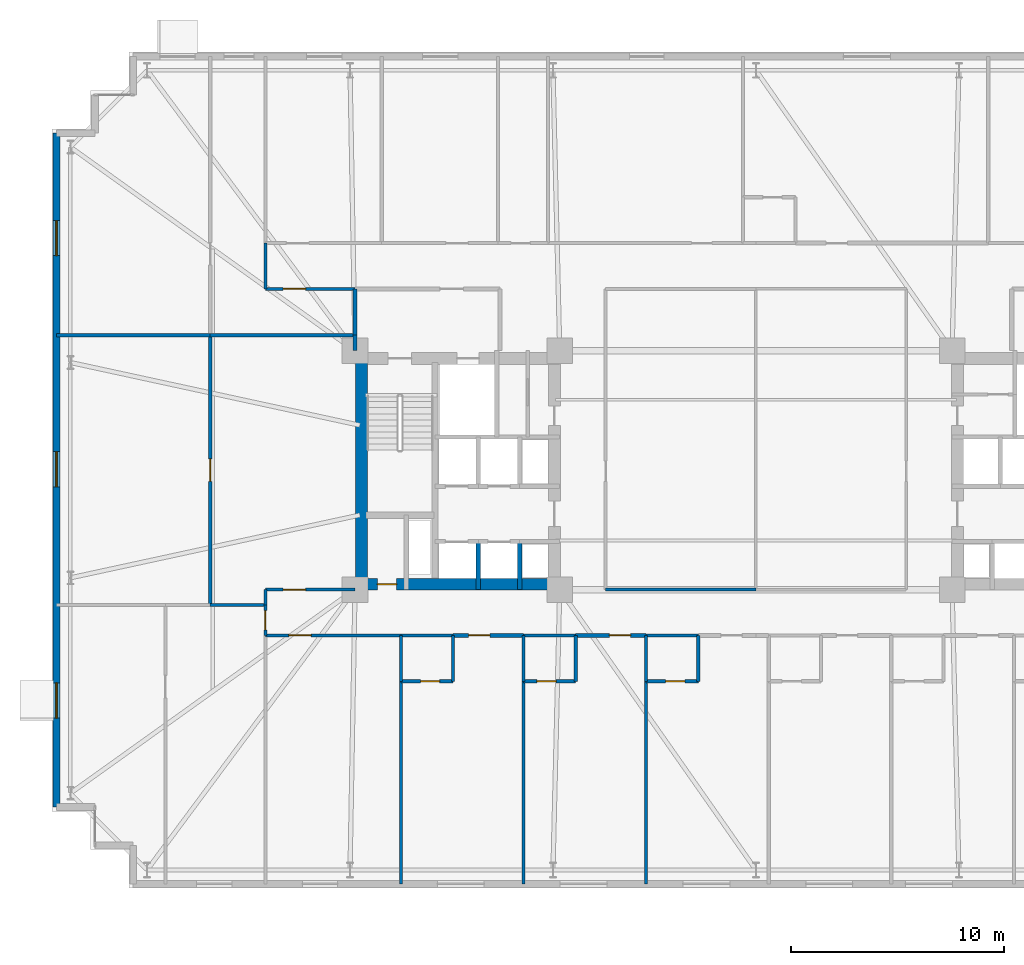
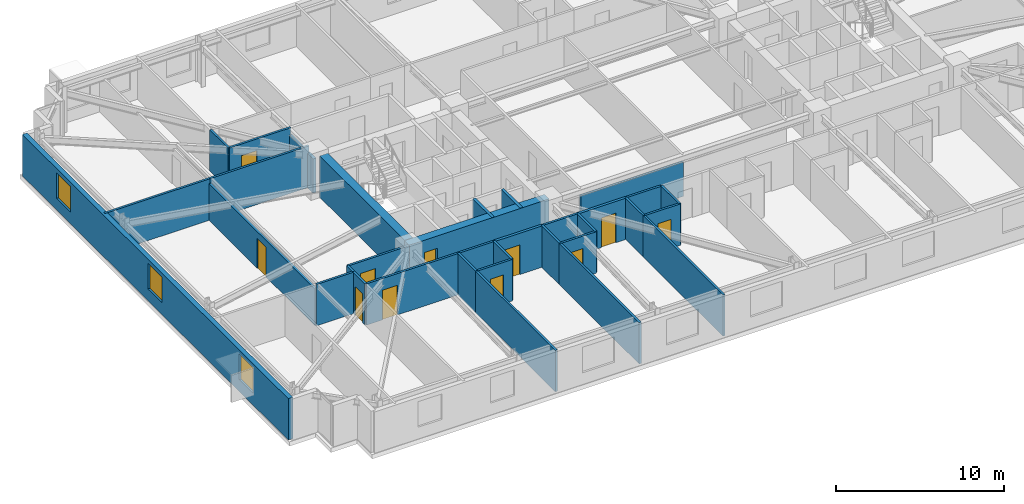
# One storey, part 14 of 20: 35 walls, 11 doors, 3 windows, 14 openings.
"""IFC4 building model written with IfcOpenShell, lengths in metres."""

from ifc_helpers import new_model, si_unit, direction, frame, frame_2d, origin, place, context, subcontext, project, spatial, rectangle, extrude, material, layer, layer_set, type_object, element, fill, save


model = new_model("IFC4")

# Units and contexts
model_context = context("Model", 3, precision=1e-05, world=origin(), true_north=direction((0.0, 1.0)))
body_context = subcontext(model_context, "Body", "Model", "MODEL_VIEW")
ifc_project = project(units=[si_unit("LENGTHUNIT", "METRE"), si_unit("AREAUNIT", "SQUARE_METRE"), si_unit("VOLUMEUNIT", "CUBIC_METRE"), si_unit("PLANEANGLEUNIT", "RADIAN"), si_unit("MASSUNIT", "GRAM", prefix="KILO")], contexts=[model_context])

# Site, building, storey
site_placement = place(None, origin())
site = spatial("IfcSite", under=ifc_project, at=site_placement, CompositionType="ELEMENT")
building_placement = place(site_placement, origin())
building = spatial("IfcBuilding", under=site, at=building_placement, Name="Qobustan Lattice House", CompositionType="ELEMENT")
storey_placement = place(building_placement, frame((0.0, 0.0, 70.550048828125)))
storey = spatial("IfcBuildingStorey", under=building, at=storey_placement, Name="L19", CompositionType="ELEMENT", Elevation=70.550048828125)

# Wall, opening, door
ifc_material_1 = material(Name="Concrete C60/75", Category="concrete")
ifc_layer_1 = layer(ifc_material_1, 0.56005859375)
ifc_layer_set_1 = layer_set([ifc_layer_1], Name="Concrete C60/75")
wall_type_1 = type_object("IfcWallType", Name="WAL-CORE-600", PredefinedType="SHEAR", material=ifc_layer_set_1)
wall_1_placement = place(storey_placement, frame((-18.800048828125, -5.35009765625, 0.0), z_axis=(0.0, 0.0, 1.0), x_axis=(1.0, 0.0, 0.0)))
wall_1 = element("IfcWall", 1, at=wall_1_placement, inside=storey, type_object=wall_type_1, Name="L19 split-core shear wall CW-S", PredefinedType="SHEAR", context=body_context, shape_type="SweptSolid", body=[
    extrude(rectangle(XDim=9.60009765625, YDim=0.56005859375, at=frame_2d((4.800048828125, 0.0))), origin(), (0.0, 0.0, 1.0), 3.0),
])
opening_1_placement = place(wall_1_placement, frame((1.050048828125, 0.0, 0.0)))
opening_1 = element("IfcOpeningElement", 2, at=opening_1_placement, cuts=wall_1, Name="Opening RD-01", PredefinedType="OPENING", context=body_context, shape_type="SweptSolid", body=[
    extrude(rectangle(XDim=0.89990234375, YDim=2.10009765625, at=frame_2d((0.449951171875, 1.050048828125))), frame((0.0, 0.2900390625, 0.0), z_axis=(0.0, -1.0, 0.0), x_axis=(1.0, 0.0, 0.0)), (0.0, 0.0, 1.0), 0.580078125),
])
ifc_material_2 = material(Name="Persian walnut timber and steel frame door", Category="steel")
door_type_1 = type_object("IfcDoorType", Name="DOR-RISER-FD-900x2100", OperationType="NOTDEFINED", PredefinedType="DOOR", material=ifc_material_2)
door_1_placement = place(opening_1_placement, origin())
door_1 = element("IfcDoor", 3, at=door_1_placement, inside=storey, type_object=door_type_1, Name="L19 core service riser access door W", OperationType="SINGLE_SWING_LEFT", OverallHeight=2.10009765625, OverallWidth=0.89990234375, PredefinedType="DOOR", context=body_context, shape_type="SweptSolid", body=[
    extrude(rectangle(XDim=0.89990234375, YDim=2.10009765625, at=frame_2d((0.449951171875, 1.050048828125))), frame((0.0, 0.02490234375, 0.0), z_axis=(0.0, -1.0, 0.0), x_axis=(1.0, 0.0, 0.0)), (0.0, 0.0, 1.0), 0.050048828125),
])
fill(opening_1, door_1)

# Wall
wall_2_placement = place(storey_placement, frame((-18.489990234375, -5.050048828125, 0.0), z_axis=(0.0, 0.0, 1.0), x_axis=(0.0, 1.0, 0.0)))
element("IfcWall", 4, at=wall_2_placement, inside=storey, type_object=wall_type_1, Name="L19 split-core shear wall CW-W", PredefinedType="SHEAR", context=body_context, shape_type="SweptSolid", body=[
    extrude(rectangle(XDim=10.10009765625, YDim=0.56005859375, at=frame_2d((5.050048828125, 0.0))), origin(), (0.0, 0.0, 1.0), 3.0),
])

# Wall, openings, windows
ifc_material_3 = material(Name="Precast concrete C40/50", Category="concrete")
ifc_layer_2 = layer(ifc_material_3, 0.320068359375)
ifc_layer_set_2 = layer_set([ifc_layer_2], Name="Precast concrete C40/50")
wall_type_2 = type_object("IfcWallType", Name="WAL-EXT-STONE-320", PredefinedType="SOLIDWALL", material=ifc_layer_set_2)
wall_3_placement = place(storey_placement, frame((-32.800048828125, -15.800048828125, 0.0), z_axis=(0.0, 0.0, 1.0), x_axis=(0.0, 1.0, 0.0)))
wall_3 = element("IfcWall", 5, at=wall_3_placement, inside=storey, type_object=wall_type_2, Name="L19 exterior limestone-clad wall 5", PredefinedType="SOLIDWALL", context=body_context, shape_type="SweptSolid", body=[
    extrude(rectangle(XDim=31.60009765625, YDim=0.320068359375, at=frame_2d((15.800048828125, 0.0))), origin(), (0.0, 0.0, 1.0), 3.0),
])
opening_2_placement = place(wall_3_placement, frame((4.175048828125, 0.0, 0.85009765625)))
opening_2 = element("IfcOpeningElement", 6, at=opening_2_placement, cuts=wall_3, Name="Opening WN-09", PredefinedType="OPENING", context=body_context, shape_type="SweptSolid", body=[
    extrude(rectangle(XDim=1.64990234375, YDim=1.85009765625, at=frame_2d((0.824951171875, 0.925048828125))), frame((0.0, 0.169921875, 0.0), z_axis=(0.0, -1.0, 0.0), x_axis=(1.0, 0.0, 0.0)), (0.0, 0.0, 1.0), 0.340087890625),
])
opening_3_placement = place(wall_3_placement, frame((15.014892578125, 0.0, 0.85009765625)))
opening_3 = element("IfcOpeningElement", 7, at=opening_3_placement, cuts=wall_3, Name="Opening WN-09", PredefinedType="OPENING", context=body_context, shape_type="SweptSolid", body=[
    extrude(rectangle(XDim=1.64990234375, YDim=1.85009765625, at=frame_2d((0.824951171875, 0.925048828125))), frame((0.0, 0.169921875, 0.0), z_axis=(0.0, -1.0, 0.0), x_axis=(1.0, 0.0, 0.0)), (0.0, 0.0, 1.0), 0.340087890625),
])
opening_4_placement = place(wall_3_placement, frame((25.85498046875, 0.0, 0.85009765625)))
opening_4 = element("IfcOpeningElement", 8, at=opening_4_placement, cuts=wall_3, Name="Opening WN-09", PredefinedType="OPENING", context=body_context, shape_type="SweptSolid", body=[
    extrude(rectangle(XDim=1.64990234375, YDim=1.85009765625, at=frame_2d((0.824951171875, 0.925048828125))), frame((0.0, 0.169921875, 0.0), z_axis=(0.0, -1.0, 0.0), x_axis=(1.0, 0.0, 0.0)), (0.0, 0.0, 1.0), 0.340087890625),
])
ifc_material_4 = material(Name="Double-glazed low-E aluminium window", Category="aluminium")
window_type = type_object("IfcWindowType", Name="WIN-STU-1650x1850", PartitioningType="SINGLE_PANEL", PredefinedType="WINDOW", material=ifc_material_4)
window_1_placement = place(opening_2_placement, origin())
window_1 = element("IfcWindow", 9, at=window_1_placement, inside=storey, type_object=window_type, Name="L19 Focus study room W1A window", OverallHeight=1.85009765625, OverallWidth=1.64990234375, PartitioningType="SINGLE_PANEL", PredefinedType="WINDOW", context=body_context, shape_type="SweptSolid", body=[
    extrude(rectangle(XDim=1.64990234375, YDim=1.85009765625, at=frame_2d((0.824951171875, 0.925048828125))), frame((0.0, 0.030029296875, 0.0), z_axis=(0.0, -1.0, 0.0), x_axis=(1.0, 0.0, 0.0)), (0.0, 0.0, 1.0), 0.06005859375),
])
fill(opening_2, window_1)
window_2_placement = place(opening_3_placement, origin())
window_2 = element("IfcWindow", 10, at=window_2_placement, inside=storey, type_object=window_type, Name="L19 Focus study room W2A window", OverallHeight=1.85009765625, OverallWidth=1.64990234375, PartitioningType="SINGLE_PANEL", PredefinedType="WINDOW", context=body_context, shape_type="SweptSolid", body=[
    extrude(rectangle(XDim=1.64990234375, YDim=1.85009765625, at=frame_2d((0.824951171875, 0.925048828125))), frame((0.0, 0.030029296875, 0.0), z_axis=(0.0, -1.0, 0.0), x_axis=(1.0, 0.0, 0.0)), (0.0, 0.0, 1.0), 0.06005859375),
])
fill(opening_3, window_2)
window_3_placement = place(opening_4_placement, origin())
window_3 = element("IfcWindow", 11, at=window_3_placement, inside=storey, type_object=window_type, Name="L19 Focus study room W3A window", OverallHeight=1.85009765625, OverallWidth=1.64990234375, PartitioningType="SINGLE_PANEL", PredefinedType="WINDOW", context=body_context, shape_type="SweptSolid", body=[
    extrude(rectangle(XDim=1.64990234375, YDim=1.85009765625, at=frame_2d((0.824951171875, 0.925048828125))), frame((0.0, 0.030029296875, 0.0), z_axis=(0.0, -1.0, 0.0), x_axis=(1.0, 0.0, 0.0)), (0.0, 0.0, 1.0), 0.06005859375),
])
fill(opening_4, window_3)

# Wall, opening, door
ifc_material_5 = material(Name="Gypsum fireboard acoustic partition", Category="gypsum")
ifc_layer_3 = layer(ifc_material_5, 0.179931640625)
ifc_layer_set_3 = layer_set([ifc_layer_3], Name="Gypsum fireboard acoustic partition")
wall_type_3 = type_object("IfcWallType", Name="WAL-FIRE-180", PredefinedType="PARTITIONING", material=ifc_layer_set_3)
wall_4_placement = place(storey_placement, frame((-10.89990234375, -7.75, 0.0), z_axis=(0.0, 0.0, 1.0), x_axis=(-1.0, 0.0, 0.0)))
wall_4 = element("IfcWall", 12, at=wall_4_placement, inside=storey, type_object=wall_type_3, Name="L19 interior partition 58", PredefinedType="PARTITIONING", context=body_context, shape_type="SweptSolid", body=[
    extrude(rectangle(XDim=3.300048828125, YDim=0.179931640625, at=frame_2d((1.64990234375, 0.0))), origin(), (0.0, 0.0, 1.0), 3.0),
])
opening_5_placement = place(wall_4_placement, frame((1.577392578125, 0.0, 0.0)))
opening_5 = element("IfcOpeningElement", 13, at=opening_5_placement, cuts=wall_4, Name="Opening FD-02", PredefinedType="OPENING", context=body_context, shape_type="SweptSolid", body=[
    extrude(rectangle(XDim=1.0, YDim=2.14990234375, at=frame_2d((0.5, 1.074951171875))), frame((0.0, 0.099853515625, 0.0), z_axis=(0.0, -1.0, 0.0), x_axis=(1.0, 0.0, 0.0)), (0.0, 0.0, 1.0), 0.199951171875),
])
ifc_material_6 = material(Name="Persian walnut timber and steel frame door", Category="steel")
door_type_2 = type_object("IfcDoorType", Name="DOR-UNIT-FD-1000x2150", OperationType="NOTDEFINED", PredefinedType="DOOR", material=ifc_material_6)
door_2_placement = place(opening_5_placement, origin())
door_2 = element("IfcDoor", 14, at=door_2_placement, inside=storey, type_object=door_type_2, Name="L19 South-west floor corridor to Kitchenette and studio apartment L19-S2 door", OperationType="SINGLE_SWING_LEFT", OverallHeight=2.14990234375, OverallWidth=1.0, PredefinedType="DOOR", context=body_context, shape_type="SweptSolid", body=[
    extrude(rectangle(XDim=1.0, YDim=2.14990234375, at=frame_2d((0.5, 1.074951171875))), frame((0.0, 0.02490234375, 0.0), z_axis=(0.0, -1.0, 0.0), x_axis=(1.0, 0.0, 0.0)), (0.0, 0.0, 1.0), 0.050048828125),
])
fill(opening_5, door_2)

wall_5_placement = place(storey_placement, frame((-5.14990234375, -7.75, 0.0), z_axis=(0.0, 0.0, 1.0), x_axis=(-1.0, 0.0, 0.0)))
wall_5 = element("IfcWall", 15, at=wall_5_placement, inside=storey, type_object=wall_type_3, Name="L19 interior partition 60", PredefinedType="PARTITIONING", context=body_context, shape_type="SweptSolid", body=[
    extrude(rectangle(XDim=3.300048828125, YDim=0.179931640625, at=frame_2d((1.64990234375, 0.0))), origin(), (0.0, 0.0, 1.0), 3.0),
])
opening_6_placement = place(wall_5_placement, frame((0.722412109375, 0.0, 0.0)))
opening_6 = element("IfcOpeningElement", 16, at=opening_6_placement, cuts=wall_5, Name="Opening FD-02", PredefinedType="OPENING", context=body_context, shape_type="SweptSolid", body=[
    extrude(rectangle(XDim=1.0, YDim=2.14990234375, at=frame_2d((0.5, 1.074951171875))), frame((0.0, 0.099853515625, 0.0), z_axis=(0.0, -1.0, 0.0), x_axis=(1.0, 0.0, 0.0)), (0.0, 0.0, 1.0), 0.199951171875),
])
door_3_placement = place(opening_6_placement, origin())
door_3 = element("IfcDoor", 17, at=door_3_placement, inside=storey, type_object=door_type_2, Name="L19 South-west floor corridor to Kitchenette and studio apartment L19-S3 door", OperationType="SINGLE_SWING_RIGHT", OverallHeight=2.14990234375, OverallWidth=1.0, PredefinedType="DOOR", context=body_context, shape_type="SweptSolid", body=[
    extrude(rectangle(XDim=1.0, YDim=2.14990234375, at=frame_2d((0.5, 1.074951171875))), frame((0.0, 0.02490234375, 0.0), z_axis=(0.0, -1.0, 0.0), x_axis=(1.0, 0.0, 0.0)), (0.0, 0.0, 1.0), 0.050048828125),
])
fill(opening_6, door_3)

ifc_material_7 = material(Name="Acoustic twin-stud gypsum partition", Category="gypsum")
ifc_layer_4 = layer(ifc_material_7, 0.14990234375)
ifc_layer_set_4 = layer_set([ifc_layer_4], Name="Acoustic twin-stud gypsum partition")
wall_type_4 = type_object("IfcWallType", Name="WAL-PART-150", PredefinedType="PARTITIONING", material=ifc_layer_set_4)
wall_6_placement = place(storey_placement, frame((-18.800048828125, 8.5, 0.0), z_axis=(0.0, 0.0, 1.0), x_axis=(-1.0, 0.0, 0.0)))
wall_6 = element("IfcWall", 18, at=wall_6_placement, inside=storey, type_object=wall_type_4, Name="L19 interior partition 39", PredefinedType="PARTITIONING", context=body_context, shape_type="SweptSolid", body=[
    extrude(rectangle(XDim=4.199951171875, YDim=0.14990234375, at=frame_2d((2.10009765625, 0.0))), origin(), (0.0, 0.0, 1.0), 3.0),
])
opening_7_placement = place(wall_6_placement, frame((2.3212890625, 0.0, 0.0)))
opening_7 = element("IfcOpeningElement", 19, at=opening_7_placement, cuts=wall_6, Name="Opening ID-02", PredefinedType="OPENING", context=body_context, shape_type="SweptSolid", body=[
    extrude(rectangle(XDim=1.050048828125, YDim=2.14990234375, at=frame_2d((0.52490234375, 1.074951171875))), frame((0.0, 0.0849609375, 0.0), z_axis=(0.0, -1.0, 0.0), x_axis=(1.0, 0.0, 0.0)), (0.0, 0.0, 1.0), 0.169921875),
])
ifc_material_8 = material(Name="Persian walnut timber and steel frame door", Category="steel")
door_type_3 = type_object("IfcDoorType", Name="DOR-STUDY-1050x2150", OperationType="NOTDEFINED", PredefinedType="DOOR", material=ifc_material_8)
door_4_placement = place(opening_7_placement, origin())
door_4 = element("IfcDoor", 20, at=door_4_placement, inside=storey, type_object=door_type_3, Name="L19 North-west floor corridor to Focus study room W3B door", OperationType="SINGLE_SWING_LEFT", OverallHeight=2.14990234375, OverallWidth=1.050048828125, PredefinedType="DOOR", context=body_context, shape_type="SweptSolid", body=[
    extrude(rectangle(XDim=1.050048828125, YDim=2.14990234375, at=frame_2d((0.52490234375, 1.074951171875))), frame((0.0, 0.02490234375, 0.0), z_axis=(0.0, -1.0, 0.0), x_axis=(1.0, 0.0, 0.0)), (0.0, 0.0, 1.0), 0.050048828125),
])
fill(opening_7, door_4)

# Wall
wall_7_placement = place(storey_placement, frame((-23.0, 8.5, 0.0), z_axis=(0.0, 0.0, 1.0), x_axis=(0.0, 1.0, 0.0)))
element("IfcWall", 21, at=wall_7_placement, inside=storey, type_object=wall_type_4, Name="L19 interior partition 40", PredefinedType="PARTITIONING", context=body_context, shape_type="SweptSolid", body=[
    extrude(rectangle(XDim=2.14990234375, YDim=0.14990234375, at=frame_2d((1.074951171875, 0.0))), origin(), (0.0, 0.0, 1.0), 3.0),
])

# Wall, opening, door
wall_8_placement = place(storey_placement, frame((-23.0, -7.75, 0.0), z_axis=(0.0, 0.0, 1.0), x_axis=(0.0, 1.0, 0.0)))
wall_8 = element("IfcWall", 22, at=wall_8_placement, inside=storey, type_object=wall_type_4, Name="L19 interior partition 54", PredefinedType="PARTITIONING", context=body_context, shape_type="SweptSolid", body=[
    extrude(rectangle(XDim=1.423095703125, YDim=0.14990234375, at=frame_2d((0.71142578125, 0.0))), origin(), (0.0, 0.0, 1.0), 3.0),
])
opening_8_placement = place(wall_8_placement, frame((0.261474609375, 0.0, 0.0)))
opening_8 = element("IfcOpeningElement", 23, at=opening_8_placement, cuts=wall_8, Name="Opening WD-01", PredefinedType="OPENING", context=body_context, shape_type="SweptSolid", body=[
    extrude(rectangle(XDim=0.89990234375, YDim=2.10009765625, at=frame_2d((0.449951171875, 1.050048828125))), frame((0.0, 0.0849609375, 0.0), z_axis=(0.0, -1.0, 0.0), x_axis=(1.0, 0.0, 0.0)), (0.0, 0.0, 1.0), 0.169921875),
])
ifc_material_9 = material(Name="Persian walnut timber and steel frame door", Category="steel")
door_type_4 = type_object("IfcDoorType", Name="DOR-WET-900x2100", OperationType="NOTDEFINED", PredefinedType="DOOR", material=ifc_material_9)
door_5_placement = place(opening_8_placement, origin())
door_5 = element("IfcDoor", 24, at=door_5_placement, inside=storey, type_object=door_type_4, Name="L19 South-west floor corridor to Focus study room W1B door", OperationType="SINGLE_SWING_RIGHT", OverallHeight=2.10009765625, OverallWidth=0.89990234375, PredefinedType="DOOR", context=body_context, shape_type="SweptSolid", body=[
    extrude(rectangle(XDim=0.89990234375, YDim=2.10009765625, at=frame_2d((0.449951171875, 1.050048828125))), frame((0.0, 0.02490234375, 0.0), z_axis=(0.0, -1.0, 0.0), x_axis=(1.0, 0.0, 0.0)), (0.0, 0.0, 1.0), 0.050048828125),
])
fill(opening_8, door_5)

wall_9_placement = place(storey_placement, frame((-23.0, -5.60009765625, 0.0), z_axis=(0.0, 0.0, 1.0), x_axis=(1.0, 0.0, 0.0)))
wall_9 = element("IfcWall", 25, at=wall_9_placement, inside=storey, type_object=wall_type_4, Name="L19 interior partition 55", PredefinedType="PARTITIONING", context=body_context, shape_type="SweptSolid", body=[
    extrude(rectangle(XDim=4.199951171875, YDim=0.14990234375, at=frame_2d((2.10009765625, 0.0))), origin(), (0.0, 0.0, 1.0), 3.0),
])
opening_9_placement = place(wall_9_placement, frame((0.82861328125, 0.0, 0.0)))
opening_9 = element("IfcOpeningElement", 26, at=opening_9_placement, cuts=wall_9, Name="Opening ID-02", PredefinedType="OPENING", context=body_context, shape_type="SweptSolid", body=[
    extrude(rectangle(XDim=1.050048828125, YDim=2.14990234375, at=frame_2d((0.52490234375, 1.074951171875))), frame((0.0, 0.0849609375, 0.0), z_axis=(0.0, -1.0, 0.0), x_axis=(1.0, 0.0, 0.0)), (0.0, 0.0, 1.0), 0.169921875),
])
door_6_placement = place(opening_9_placement, origin())
door_6 = element("IfcDoor", 27, at=door_6_placement, inside=storey, type_object=door_type_3, Name="L19 South-west floor corridor to Focus study room W2B door", OperationType="SINGLE_SWING_LEFT", OverallHeight=2.14990234375, OverallWidth=1.050048828125, PredefinedType="DOOR", context=body_context, shape_type="SweptSolid", body=[
    extrude(rectangle(XDim=1.050048828125, YDim=2.14990234375, at=frame_2d((0.52490234375, 1.074951171875))), frame((0.0, 0.02490234375, 0.0), z_axis=(0.0, -1.0, 0.0), x_axis=(1.0, 0.0, 0.0)), (0.0, 0.0, 1.0), 0.050048828125),
])
fill(opening_9, door_6)

# Wall
wall_10_placement = place(storey_placement, frame((-23.0, -6.326904296875, 0.0), z_axis=(0.0, 0.0, 1.0), x_axis=(0.0, 1.0, 0.0)))
element("IfcWall", 28, at=wall_10_placement, inside=storey, type_object=wall_type_4, Name="L19 interior partition 56", PredefinedType="PARTITIONING", context=body_context, shape_type="SweptSolid", body=[
    extrude(rectangle(XDim=0.726806640625, YDim=0.14990234375, at=frame_2d((0.36328125, 0.0))), origin(), (0.0, 0.0, 1.0), 3.0),
])

# Wall, opening, door
wall_11_placement = place(storey_placement, frame((-16.64990234375, -7.75, 0.0), z_axis=(0.0, 0.0, 1.0), x_axis=(-1.0, 0.0, 0.0)))
wall_11 = element("IfcWall", 29, at=wall_11_placement, inside=storey, type_object=wall_type_4, Name="L19 interior partition 57", PredefinedType="PARTITIONING", context=body_context, shape_type="SweptSolid", body=[
    extrude(rectangle(XDim=6.35009765625, YDim=0.14990234375, at=frame_2d((3.175048828125, 0.0))), origin(), (0.0, 0.0, 1.0), 3.0),
])
opening_10_placement = place(wall_11_placement, frame((4.202392578125, 0.0, 0.0)))
opening_10 = element("IfcOpeningElement", 30, at=opening_10_placement, cuts=wall_11, Name="Opening ID-02", PredefinedType="OPENING", context=body_context, shape_type="SweptSolid", body=[
    extrude(rectangle(XDim=1.050048828125, YDim=2.14990234375, at=frame_2d((0.52490234375, 1.074951171875))), frame((0.0, 0.0849609375, 0.0), z_axis=(0.0, -1.0, 0.0), x_axis=(1.0, 0.0, 0.0)), (0.0, 0.0, 1.0), 0.169921875),
])
door_7_placement = place(opening_10_placement, origin())
door_7 = element("IfcDoor", 31, at=door_7_placement, inside=storey, type_object=door_type_3, Name="L19 South-west floor corridor to Focus study room S1 door", OperationType="SINGLE_SWING_RIGHT", OverallHeight=2.14990234375, OverallWidth=1.050048828125, PredefinedType="DOOR", context=body_context, shape_type="SweptSolid", body=[
    extrude(rectangle(XDim=1.050048828125, YDim=2.14990234375, at=frame_2d((0.52490234375, 1.074951171875))), frame((0.0, 0.02490234375, 0.0), z_axis=(0.0, -1.0, 0.0), x_axis=(1.0, 0.0, 0.0)), (0.0, 0.0, 1.0), 0.050048828125),
])
fill(opening_10, door_7)

# Walls
wall_12_placement = place(storey_placement, frame((-7.050048828125, -5.60009765625, 0.0), z_axis=(0.0, 0.0, 1.0), x_axis=(1.0, 0.0, 0.0)))
element("IfcWall", 32, at=wall_12_placement, inside=storey, type_object=wall_type_4, Name="L19 interior partition 64", PredefinedType="PARTITIONING", context=body_context, shape_type="SweptSolid", body=[
    extrude(rectangle(XDim=7.050048828125, YDim=0.14990234375, at=frame_2d((3.52490234375, 0.0))), origin(), (0.0, 0.0, 1.0), 2.48486328125),
])
wall_13_placement = place(storey_placement, frame((-25.590087890625, -6.326904296875, 0.0), z_axis=(0.0, 0.0, 1.0), x_axis=(1.0, 0.0, 0.0)))
element("IfcWall", 33, at=wall_13_placement, inside=storey, type_object=wall_type_4, Name="L19 interior partition 81", PredefinedType="PARTITIONING", context=body_context, shape_type="SweptSolid", body=[
    extrude(rectangle(XDim=2.590087890625, YDim=0.14990234375, at=frame_2d((1.294921875, 0.0))), origin(), (0.0, 0.0, 1.0), 3.0),
])

# Wall, opening, door
wall_14_placement = place(storey_placement, frame((-25.590087890625, 6.326904296875, 0.0), z_axis=(0.0, 0.0, 1.0), x_axis=(0.0, -1.0, 0.0)))
wall_14 = element("IfcWall", 34, at=wall_14_placement, inside=storey, type_object=wall_type_4, Name="L19 interior partition 83", PredefinedType="PARTITIONING", context=body_context, shape_type="SweptSolid", body=[
    extrude(rectangle(XDim=12.65380859375, YDim=0.14990234375, at=frame_2d((6.326904296875, 0.0))), origin(), (0.0, 0.0, 1.0), 2.655029296875),
])
opening_11_placement = place(wall_14_placement, frame((5.802001953125, 0.0, 0.0)))
opening_11 = element("IfcOpeningElement", 35, at=opening_11_placement, cuts=wall_14, Name="Opening ID-02", PredefinedType="OPENING", context=body_context, shape_type="SweptSolid", body=[
    extrude(rectangle(XDim=1.050048828125, YDim=2.14990234375, at=frame_2d((0.52490234375, 1.074951171875))), frame((0.0, 0.0849609375, 0.0), z_axis=(0.0, -1.0, 0.0), x_axis=(1.0, 0.0, 0.0)), (0.0, 0.0, 1.0), 0.169921875),
])
door_8_placement = place(opening_11_placement, origin())
door_8 = element("IfcDoor", 36, at=door_8_placement, inside=storey, type_object=door_type_3, Name="L19 Focus study room W2A to Focus study room W2B door", OperationType="SINGLE_SWING_RIGHT", OverallHeight=2.14990234375, OverallWidth=1.050048828125, PredefinedType="DOOR", context=body_context, shape_type="SweptSolid", body=[
    extrude(rectangle(XDim=1.050048828125, YDim=2.14990234375, at=frame_2d((0.52490234375, 1.074951171875))), frame((0.0, 0.02490234375, 0.0), z_axis=(0.0, -1.0, 0.0), x_axis=(1.0, 0.0, 0.0)), (0.0, 0.0, 1.0), 0.050048828125),
])
fill(opening_11, door_8)

# Walls
wall_15_placement = place(storey_placement, frame((-32.800048828125, 6.326904296875, 0.0), z_axis=(0.0, 0.0, 1.0), x_axis=(1.0, 0.0, 0.0)))
element("IfcWall", 37, at=wall_15_placement, inside=storey, type_object=wall_type_4, Name="L19 interior partition 84", PredefinedType="PARTITIONING", context=body_context, shape_type="SweptSolid", body=[
    extrude(rectangle(XDim=7.2099609375, YDim=0.14990234375, at=frame_2d((3.60498046875, 0.0))), origin(), (0.0, 0.0, 1.0), 3.0),
])
wall_16_placement = place(storey_placement, frame((-25.590087890625, 6.326904296875, 0.0), z_axis=(0.0, 0.0, 1.0), x_axis=(1.0, 0.0, 0.0)))
element("IfcWall", 38, at=wall_16_placement, inside=storey, type_object=wall_type_4, Name="L19 interior partition 85", PredefinedType="PARTITIONING", context=body_context, shape_type="SweptSolid", body=[
    extrude(rectangle(XDim=6.7900390625, YDim=0.14990234375, at=frame_2d((3.39501953125, 0.0))), origin(), (0.0, 0.0, 1.0), 3.0),
])
for number, where, z_axis, x_axis, name in (
    (39, (-16.64990234375, -9.89990234375, 0.0), (0.0, 0.0, 1.0), (0.0, -1.0, 0.0), "L19 interior partition 100"),
    (40, (-10.89990234375, -9.89990234375, 0.0), (0.0, 0.0, 1.0), (0.0, -1.0, 0.0), "L19 interior partition 104"),
    (41, (-5.14990234375, -9.89990234375, 0.0), (0.0, 0.0, 1.0), (0.0, -1.0, 0.0), "L19 interior partition 108"),
):
    element("IfcWall", number, at=place(storey_placement, frame(where, z_axis=z_axis, x_axis=x_axis)), inside=storey, type_object=wall_type_4, Name=name, PredefinedType="PARTITIONING", context=body_context, shape_type="SweptSolid", body=[
        extrude(rectangle(XDim=9.5, YDim=0.14990234375, at=frame_2d((4.75, 0.0))), origin(), (0.0, 0.0, 1.0), 3.0),
    ])
ifc_material_10 = material(Name="Two-hour gypsum fireboard acoustic partition", Category="gypsum")
ifc_layer_5 = layer(ifc_material_10, 0.199951171875)
ifc_layer_set_5 = layer_set([ifc_layer_5], Name="Two-hour gypsum fireboard acoustic partition")
wall_type_5 = type_object("IfcWallType", Name="WAL-PROT-200", PredefinedType="PARTITIONING", material=ifc_layer_set_5)
wall_17_placement = place(storey_placement, frame((-18.800048828125, 6.326904296875, 0.0), z_axis=(0.0, 0.0, 1.0), x_axis=(0.0, -1.0, 0.0)))
element("IfcWall", 42, at=wall_17_placement, inside=storey, type_object=wall_type_5, Name="L19 interior partition 5", PredefinedType="PARTITIONING", context=body_context, shape_type="SweptSolid", body=[
    extrude(rectangle(XDim=0.726806640625, YDim=0.199951171875, at=frame_2d((0.36328125, 0.0))), origin(), (0.0, 0.0, 1.0), 2.48486328125),
])
wall_18_placement = place(storey_placement, frame((-18.800048828125, 8.5, 0.0), z_axis=(0.0, 0.0, 1.0), x_axis=(0.0, -1.0, 0.0)))
element("IfcWall", 43, at=wall_18_placement, inside=storey, type_object=wall_type_5, Name="L19 interior partition 6", PredefinedType="PARTITIONING", context=body_context, shape_type="SweptSolid", body=[
    extrude(rectangle(XDim=2.173095703125, YDim=0.199951171875, at=frame_2d((1.08642578125, 0.0))), origin(), (0.0, 0.0, 1.0), 2.48486328125),
])
ifc_material_11 = material(Name="Concrete C40/50", Category="concrete")
ifc_layer_6 = layer(ifc_material_11, 0.199951171875)
ifc_layer_set_6 = layer_set([ifc_layer_6], Name="Concrete C40/50")
wall_type_6 = type_object("IfcWallType", Name="WAL-SHAFT-200", PredefinedType="PARTITIONING", material=ifc_layer_set_6)
for number, where, z_axis, x_axis, name in (
    (44, (-13.02001953125, -5.60009765625, 0.0), (0.0, 0.0, 1.0), (0.0, 1.0, 0.0), "L19 interior partition 16"),
    (45, (-11.080078125, -5.60009765625, 0.0), (0.0, 0.0, 1.0), (0.0, 1.0, 0.0), "L19 interior partition 17"),
):
    element("IfcWall", number, at=place(storey_placement, frame(where, z_axis=z_axis, x_axis=x_axis)), inside=storey, type_object=wall_type_6, Name=name, PredefinedType="PARTITIONING", context=body_context, shape_type="SweptSolid", body=[
        extrude(rectangle(XDim=2.25, YDim=0.199951171875, at=frame_2d((1.125, 0.0))), origin(), (0.0, 0.0, 1.0), 3.0),
    ])
ifc_material_12 = material(Name="Moisture-resistant acoustic plumbing wall", Category="gypsum")
ifc_layer_7 = layer(ifc_material_12, 0.14990234375)
ifc_layer_set_7 = layer_set([ifc_layer_7], Name="Moisture-resistant acoustic plumbing wall")
wall_type_7 = type_object("IfcWallType", Name="WAL-WET-150", PredefinedType="PLUMBINGWALL", material=ifc_layer_set_7)
for number, where, z_axis, x_axis, name in (
    (46, (-14.199951171875, -7.75, 0.0), (0.0, 0.0, 1.0), (-1.0, 0.0, 0.0), "L19 interior partition 59"),
    (47, (-8.449951171875, -7.75, 0.0), (0.0, 0.0, 1.0), (-1.0, 0.0, 0.0), "L19 interior partition 61"),
    (48, (-2.699951171875, -7.75, 0.0), (0.0, 0.0, 1.0), (-1.0, 0.0, 0.0), "L19 interior partition 63"),
):
    element("IfcWall", number, at=place(storey_placement, frame(where, z_axis=z_axis, x_axis=x_axis)), inside=storey, type_object=wall_type_7, Name=name, PredefinedType="PLUMBINGWALL", context=body_context, shape_type="SweptSolid", body=[
        extrude(rectangle(XDim=2.449951171875, YDim=0.14990234375, at=frame_2d((1.22509765625, 0.0))), origin(), (0.0, 0.0, 1.0), 3.0),
    ])
wall_19_placement = place(storey_placement, frame((-16.64990234375, -7.75, 0.0), z_axis=(0.0, 0.0, 1.0), x_axis=(0.0, -1.0, 0.0)))
element("IfcWall", 49, at=wall_19_placement, inside=storey, type_object=wall_type_7, Name="L19 interior partition 101", PredefinedType="PLUMBINGWALL", context=body_context, shape_type="SweptSolid", body=[
    extrude(rectangle(XDim=2.14990234375, YDim=0.14990234375, at=frame_2d((1.074951171875, 0.0))), origin(), (0.0, 0.0, 1.0), 3.0),
])

# Wall, opening, door
wall_20_placement = place(storey_placement, frame((-16.64990234375, -9.89990234375, 0.0), z_axis=(0.0, 0.0, 1.0), x_axis=(1.0, 0.0, 0.0)))
wall_20 = element("IfcWall", 50, at=wall_20_placement, inside=storey, type_object=wall_type_7, Name="L19 interior partition 102", PredefinedType="PLUMBINGWALL", context=body_context, shape_type="SweptSolid", body=[
    extrude(rectangle(XDim=2.449951171875, YDim=0.14990234375, at=frame_2d((1.22509765625, 0.0))), origin(), (0.0, 0.0, 1.0), 3.0),
])
opening_12_placement = place(wall_20_placement, frame((0.921142578125, 0.0, 0.0)))
opening_12 = element("IfcOpeningElement", 51, at=opening_12_placement, cuts=wall_20, Name="Opening WD-01", PredefinedType="OPENING", context=body_context, shape_type="SweptSolid", body=[
    extrude(rectangle(XDim=0.89990234375, YDim=2.10009765625, at=frame_2d((0.449951171875, 1.050048828125))), frame((0.0, 0.0849609375, 0.0), z_axis=(0.0, -1.0, 0.0), x_axis=(1.0, 0.0, 0.0)), (0.0, 0.0, 1.0), 0.169921875),
])
door_9_placement = place(opening_12_placement, origin())
door_9 = element("IfcDoor", 52, at=door_9_placement, inside=storey, type_object=door_type_4, Name="L19 Kitchenette and studio apartment L19-S2 to En-suite bathroom L19-S2 door", OperationType="SINGLE_SWING_LEFT", OverallHeight=2.10009765625, OverallWidth=0.89990234375, PredefinedType="DOOR", context=body_context, shape_type="SweptSolid", body=[
    extrude(rectangle(XDim=0.89990234375, YDim=2.10009765625, at=frame_2d((0.449951171875, 1.050048828125))), frame((0.0, 0.02490234375, 0.0), z_axis=(0.0, -1.0, 0.0), x_axis=(1.0, 0.0, 0.0)), (0.0, 0.0, 1.0), 0.050048828125),
])
fill(opening_12, door_9)

# Walls
for number, where, z_axis, x_axis, name in (
    (53, (-14.199951171875, -9.89990234375, 0.0), (0.0, 0.0, 1.0), (0.0, 1.0, 0.0), "L19 interior partition 103"),
    (54, (-10.89990234375, -7.75, 0.0), (0.0, 0.0, 1.0), (0.0, -1.0, 0.0), "L19 interior partition 105"),
):
    element("IfcWall", number, at=place(storey_placement, frame(where, z_axis=z_axis, x_axis=x_axis)), inside=storey, type_object=wall_type_7, Name=name, PredefinedType="PLUMBINGWALL", context=body_context, shape_type="SweptSolid", body=[
        extrude(rectangle(XDim=2.14990234375, YDim=0.14990234375, at=frame_2d((1.074951171875, 0.0))), origin(), (0.0, 0.0, 1.0), 3.0),
    ])

# Wall, opening, door
wall_21_placement = place(storey_placement, frame((-10.89990234375, -9.89990234375, 0.0), z_axis=(0.0, 0.0, 1.0), x_axis=(1.0, 0.0, 0.0)))
wall_21 = element("IfcWall", 55, at=wall_21_placement, inside=storey, type_object=wall_type_7, Name="L19 interior partition 106", PredefinedType="PLUMBINGWALL", context=body_context, shape_type="SweptSolid", body=[
    extrude(rectangle(XDim=2.449951171875, YDim=0.14990234375, at=frame_2d((1.22509765625, 0.0))), origin(), (0.0, 0.0, 1.0), 3.0),
])
opening_13_placement = place(wall_21_placement, frame((0.62890625, 0.0, 0.0)))
opening_13 = element("IfcOpeningElement", 56, at=opening_13_placement, cuts=wall_21, Name="Opening WD-01", PredefinedType="OPENING", context=body_context, shape_type="SweptSolid", body=[
    extrude(rectangle(XDim=0.89990234375, YDim=2.10009765625, at=frame_2d((0.449951171875, 1.050048828125))), frame((0.0, 0.0849609375, 0.0), z_axis=(0.0, -1.0, 0.0), x_axis=(1.0, 0.0, 0.0)), (0.0, 0.0, 1.0), 0.169921875),
])
door_10_placement = place(opening_13_placement, origin())
door_10 = element("IfcDoor", 57, at=door_10_placement, inside=storey, type_object=door_type_4, Name="L19 Kitchenette and studio apartment L19-S3 to En-suite bathroom L19-S3 door", OperationType="SINGLE_SWING_RIGHT", OverallHeight=2.10009765625, OverallWidth=0.89990234375, PredefinedType="DOOR", context=body_context, shape_type="SweptSolid", body=[
    extrude(rectangle(XDim=0.89990234375, YDim=2.10009765625, at=frame_2d((0.449951171875, 1.050048828125))), frame((0.0, 0.02490234375, 0.0), z_axis=(0.0, -1.0, 0.0), x_axis=(1.0, 0.0, 0.0)), (0.0, 0.0, 1.0), 0.050048828125),
])
fill(opening_13, door_10)

# Walls
for number, where, z_axis, x_axis, name in (
    (58, (-8.449951171875, -9.89990234375, 0.0), (0.0, 0.0, 1.0), (0.0, 1.0, 0.0), "L19 interior partition 107"),
    (59, (-5.14990234375, -7.75, 0.0), (0.0, 0.0, 1.0), (0.0, -1.0, 0.0), "L19 interior partition 109"),
):
    element("IfcWall", number, at=place(storey_placement, frame(where, z_axis=z_axis, x_axis=x_axis)), inside=storey, type_object=wall_type_7, Name=name, PredefinedType="PLUMBINGWALL", context=body_context, shape_type="SweptSolid", body=[
        extrude(rectangle(XDim=2.14990234375, YDim=0.14990234375, at=frame_2d((1.074951171875, 0.0))), origin(), (0.0, 0.0, 1.0), 3.0),
    ])

# Wall, opening, door
wall_22_placement = place(storey_placement, frame((-5.14990234375, -9.89990234375, 0.0), z_axis=(0.0, 0.0, 1.0), x_axis=(1.0, 0.0, 0.0)))
wall_22 = element("IfcWall", 60, at=wall_22_placement, inside=storey, type_object=wall_type_7, Name="L19 interior partition 110", PredefinedType="PLUMBINGWALL", context=body_context, shape_type="SweptSolid", body=[
    extrude(rectangle(XDim=2.449951171875, YDim=0.14990234375, at=frame_2d((1.22509765625, 0.0))), origin(), (0.0, 0.0, 1.0), 3.0),
])
opening_14_placement = place(wall_22_placement, frame((0.92138671875, 0.0, 0.0)))
opening_14 = element("IfcOpeningElement", 61, at=opening_14_placement, cuts=wall_22, Name="Opening WD-01", PredefinedType="OPENING", context=body_context, shape_type="SweptSolid", body=[
    extrude(rectangle(XDim=0.89990234375, YDim=2.10009765625, at=frame_2d((0.449951171875, 1.050048828125))), frame((0.0, 0.0849609375, 0.0), z_axis=(0.0, -1.0, 0.0), x_axis=(1.0, 0.0, 0.0)), (0.0, 0.0, 1.0), 0.169921875),
])
door_11_placement = place(opening_14_placement, origin())
door_11 = element("IfcDoor", 62, at=door_11_placement, inside=storey, type_object=door_type_4, Name="L19 Kitchenette and studio apartment L19-S4 to En-suite bathroom L19-S4 door", OperationType="SINGLE_SWING_LEFT", OverallHeight=2.10009765625, OverallWidth=0.89990234375, PredefinedType="DOOR", context=body_context, shape_type="SweptSolid", body=[
    extrude(rectangle(XDim=0.89990234375, YDim=2.10009765625, at=frame_2d((0.449951171875, 1.050048828125))), frame((0.0, 0.02490234375, 0.0), z_axis=(0.0, -1.0, 0.0), x_axis=(1.0, 0.0, 0.0)), (0.0, 0.0, 1.0), 0.050048828125),
])
fill(opening_14, door_11)

# Wall
wall_23_placement = place(storey_placement, frame((-2.699951171875, -9.89990234375, 0.0), z_axis=(0.0, 0.0, 1.0), x_axis=(0.0, 1.0, 0.0)))
element("IfcWall", 63, at=wall_23_placement, inside=storey, type_object=wall_type_7, Name="L19 interior partition 111", PredefinedType="PLUMBINGWALL", context=body_context, shape_type="SweptSolid", body=[
    extrude(rectangle(XDim=2.14990234375, YDim=0.14990234375, at=frame_2d((1.074951171875, 0.0))), origin(), (0.0, 0.0, 1.0), 3.0),
])

save(model, "model.ifc")
